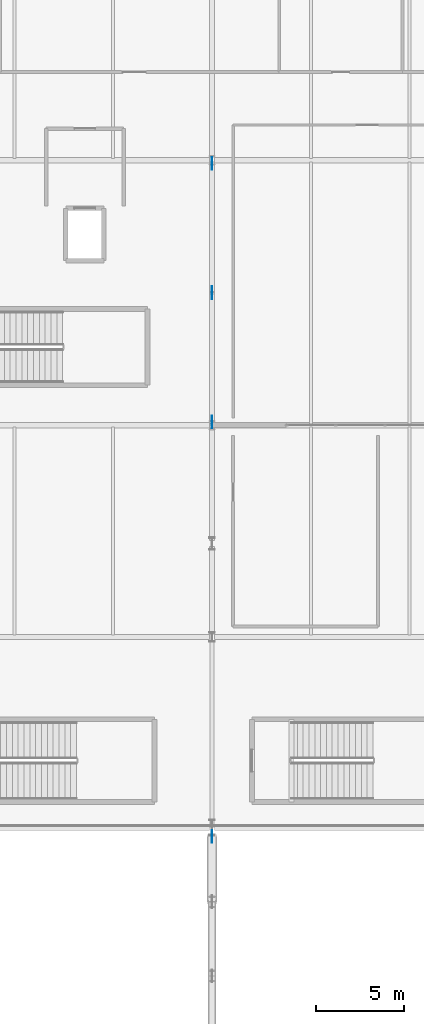
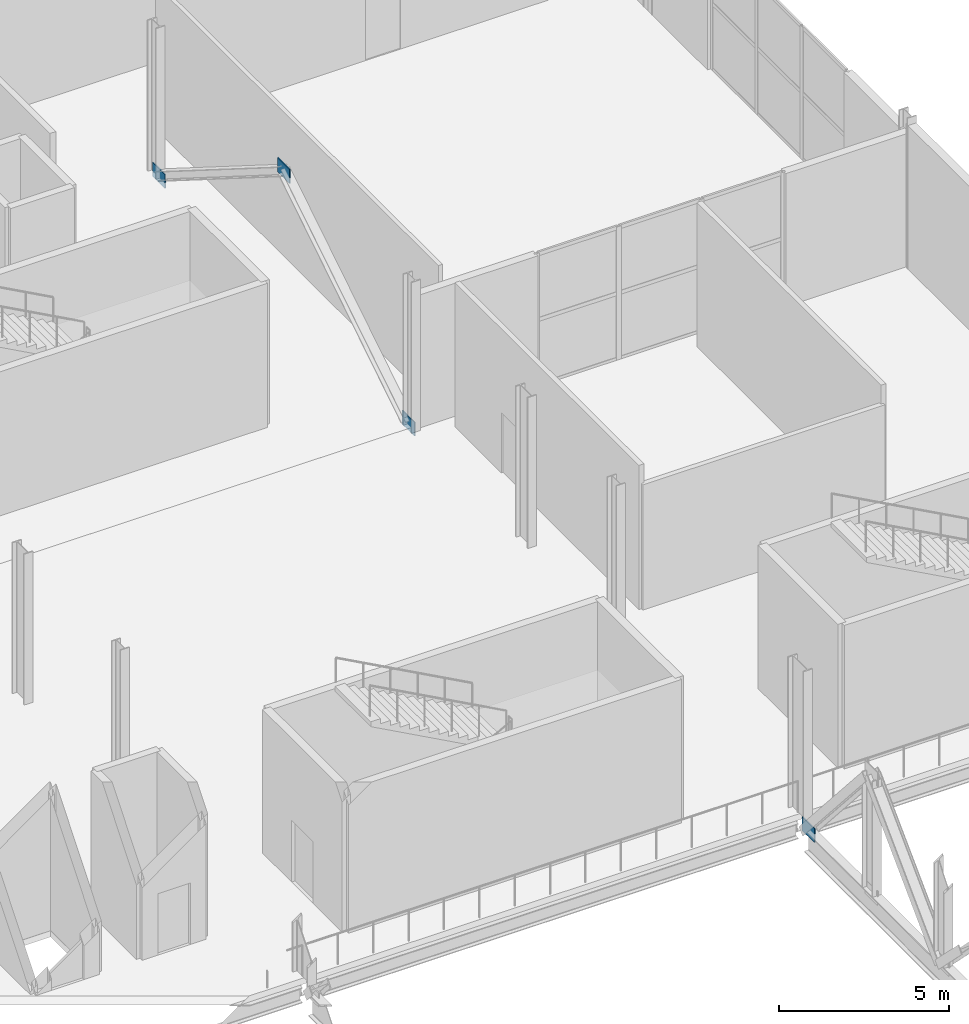
# One storey, part 57 of 84: 4 plates.
"""IFC4 building model written with IfcOpenShell, lengths in metres."""

import ifcopenshell
import ifcopenshell.guid

model = None  # the IFC model being written
_history = None  # IfcOwnerHistory: only IFC2X3 demands one
_inside = {}  # id of a spatial element -> (the spatial element, [elements in it])
_under = {}  # id of a project, library or spatial element -> (it, [spatial elements below it])
_declared = {}  # id of a project -> (the project, [libraries it declares])
_typed = {}  # id of a type object -> (the type object, [elements of that type])
_made_of = {}  # id of a material, layer set ... -> (it, [elements and type objects made of it])


def new_model(schema):
    """Start an empty IFC model of exactly this schema.

    Asked for "IFC4X3", IfcOpenShell would pick the latest addendum, in which some entities
    have other attributes; the version numbers below select the first issue.
    IFC2X3 requires an IfcOwnerHistory on every rooted entity: one is made here for all.
    """
    global model, _history
    if schema == "IFC4X3":
        model = ifcopenshell.file(schema_version=(4, 3, 0, 0))
    else:
        model = ifcopenshell.file(schema=schema)
    _inside.clear()
    _under.clear()
    _declared.clear()
    _typed.clear()
    _made_of.clear()
    _history = None
    if model.schema == "IFC2X3":
        org = make("IfcOrganization", Name="unknown")
        user = make(
            "IfcPersonAndOrganization",
            ThePerson=make("IfcPerson", FamilyName="unknown"),
            TheOrganization=org,
        )
        app = make(
            "IfcApplication",
            ApplicationDeveloper=org,
            Version="unknown",
            ApplicationFullName="unknown",
            ApplicationIdentifier="unknown",
        )
        _history = make(
            "IfcOwnerHistory",
            OwningUser=user,
            OwningApplication=app,
            ChangeAction="ADDED",
            CreationDate=0,
        )
    return model


def make(cls, **values):
    """One entity of the class cls with the attributes given. An attribute that is None is left unset."""
    return model.create_entity(
        cls, **{name: value for name, value in values.items() if value is not None}
    )


def rooted(cls, **values):
    """An entity with a GlobalId (a new one), such as an element, a storey or a relation."""
    return make(cls, GlobalId=ifcopenshell.guid.new(), OwnerHistory=_history, **values)


def si_unit(unit_type, name, prefix=None):
    """IfcSIUnit, for example si_unit("LENGTHUNIT", "METRE", prefix="MILLI")."""
    return make("IfcSIUnit", UnitType=unit_type, Prefix=prefix, Name=name)


def assignment(units):
    """IfcUnitAssignment: the units of a project."""
    return None if units is None else make("IfcUnitAssignment", Units=units)


def point(xyz):
    """IfcCartesianPoint."""
    return None if xyz is None else make("IfcCartesianPoint", Coordinates=xyz)


def direction(xyz):
    """IfcDirection."""
    return None if xyz is None else make("IfcDirection", DirectionRatios=xyz)


def frame(location, z_axis=None, x_axis=None):
    """IfcAxis2Placement3D, a coordinate frame: its origin and axes. An axis left out is left unset."""
    return make(
        "IfcAxis2Placement3D",
        Location=point(location),
        Axis=direction(z_axis),
        RefDirection=direction(x_axis),
    )


def frame_2d(location, x_axis=None):
    """IfcAxis2Placement2D, a coordinate frame in the plane: its origin and x axis."""
    return make(
        "IfcAxis2Placement2D", Location=point(location), RefDirection=direction(x_axis)
    )


def origin():
    """The frame at (0, 0, 0) with its axes left unset."""
    return frame((0.0, 0.0, 0.0))


def origin_2d():
    """The frame at (0, 0) in the plane with its x axis left unset."""
    return frame_2d((0.0, 0.0))


def place(relative_to, where):
    """IfcLocalPlacement: puts the frame where relative to a parent placement (None: the world)."""
    return make(
        "IfcLocalPlacement", PlacementRelTo=relative_to, RelativePlacement=where
    )


def context(
    kind, dimensions, precision=None, world=None, true_north=None, identifier=None
):
    """IfcGeometricRepresentationContext, for example the 3D "Model" context."""
    return make(
        "IfcGeometricRepresentationContext",
        ContextIdentifier=identifier,
        ContextType=kind,
        CoordinateSpaceDimension=dimensions,
        Precision=precision,
        WorldCoordinateSystem=world,
        TrueNorth=true_north,
    )


def subcontext(parent, identifier, kind, view, scale=None):
    """IfcGeometricRepresentationSubContext, for example "Body" below "Model"."""
    return make(
        "IfcGeometricRepresentationSubContext",
        ContextIdentifier=identifier,
        ContextType=kind,
        ParentContext=parent,
        TargetScale=scale,
        TargetView=view,
    )


def project(units=None, contexts=None):
    """IfcProject with its units and contexts."""
    return rooted(
        "IfcProject",
        Name="project",
        RepresentationContexts=contexts,
        UnitsInContext=assignment(units),
    )


def spatial(cls, under=None, at=None, **own):
    """A site, building, storey or space (cls), placed at a placement, below another one or the project."""
    s = rooted(cls, ObjectPlacement=at, **own)
    if under is not None:
        _under.setdefault(under.id(), (under, []))[1].append(s)
    return s


def profile(cls, at=None, kind="AREA", **sizes):
    """A parametric profile (cls). Its sizes go by their IFC names, for example OverallWidth=200.0."""
    return make(cls, ProfileType=kind, Position=at, **sizes)


def rectangle(**sizes):
    """IfcRectangleProfileDef."""
    return profile("IfcRectangleProfileDef", **sizes)


def extrude(swept, where, along, depth):
    """IfcExtrudedAreaSolid: the profile swept, set in the frame where, extruded along a direction by depth."""
    return make(
        "IfcExtrudedAreaSolid",
        SweptArea=swept,
        Position=where,
        ExtrudedDirection=direction(along),
        Depth=depth,
    )


def shape(context_of_items, identifier, shape_type, items):
    """IfcShapeRepresentation: the items that make up one representation, for example the "Body"."""
    return make(
        "IfcShapeRepresentation",
        ContextOfItems=context_of_items,
        RepresentationIdentifier=identifier,
        RepresentationType=shape_type,
        Items=items,
    )


def material(Name=None, Category=None):
    """IfcMaterial."""
    return make("IfcMaterial", Name=Name, Category=Category)


def layer(
    of_material, thickness, ventilated=None, Name=None, Category=None, Priority=None
):
    """IfcMaterialLayer: one layer of a wall or slab, of a material (None: an air gap)."""
    return make(
        "IfcMaterialLayer",
        Material=of_material,
        LayerThickness=thickness,
        IsVentilated=ventilated,
        Name=Name,
        Category=Category,
        Priority=Priority,
    )


def layer_set(layers, Name=None):
    """IfcMaterialLayerSet."""
    return make("IfcMaterialLayerSet", MaterialLayers=layers, LayerSetName=Name)


def made_of(thing, what):
    """Note that an element or type object is made of a material, layer set ...; save() writes the relation."""
    if what is not None:
        _made_of.setdefault(what.id(), (what, []))[1].append(thing)
    return thing


def type_object(cls, material=None, **own):
    """A type object (cls), such as IfcWallType, which elements share."""
    return made_of(rooted(cls, **own), material)


def element(
    cls,
    number,
    at=None,
    inside=None,
    cuts=None,
    type_object=None,
    material=None,
    context=None,
    identifier="Body",
    shape_type=None,
    held_by="IfcProductDefinitionShape",
    body=None,
    shapes=None,
    **own,
):
    """One element of the class cls, such as IfcWall. Its Tag is "e" and its number.

    at: its placement. inside: the storey or other place that contains it. cuts: it is an
    opening in that element (IfcRelVoidsElement). A single representation is given by context,
    identifier, shape_type and body (its items); several are given by shapes. held_by: the class
    of the entity that holds the representations. save() writes the other relations.
    """
    e = rooted(cls, Tag="e%d" % number, ObjectPlacement=at, **own)
    if body is not None:
        shapes = [shape(context, identifier, shape_type, body)]
    if shapes is not None:
        e.Representation = make(held_by, Representations=shapes)
    if inside is not None:
        _inside.setdefault(inside.id(), (inside, []))[1].append(e)
    if cuts is not None:
        rooted(
            "IfcRelVoidsElement", RelatingBuildingElement=cuts, RelatedOpeningElement=e
        )
    if type_object is not None:
        _typed.setdefault(type_object.id(), (type_object, []))[1].append(e)
    return made_of(e, material)


def aggregate(whole, parts):
    """IfcRelAggregates: a whole, such as a stair, and the parts it consists of."""
    return rooted("IfcRelAggregates", RelatingObject=whole, RelatedObjects=parts)


def save(model, path):
    """Write the relations noted so far, then the file.

    IfcRelAggregates (storeys below a building ...), IfcRelContainedInSpatialStructure (elements
    in a storey), IfcRelDefinesByType, IfcRelAssociatesMaterial and IfcRelDeclares: one each for
    every whole, place, type object, material and project.
    """
    for whole, parts in _under.values():
        aggregate(whole, parts)
    for where, things in _inside.values():
        rooted(
            "IfcRelContainedInSpatialStructure",
            RelatedElements=things,
            RelatingStructure=where,
        )
    for kind, things in _typed.values():
        rooted("IfcRelDefinesByType", RelatedObjects=things, RelatingType=kind)
    for what, things in _made_of.values():
        rooted("IfcRelAssociatesMaterial", RelatedObjects=things, RelatingMaterial=what)
    for by, libraries in _declared.values():
        rooted("IfcRelDeclares", RelatingContext=by, RelatedDefinitions=libraries)
    model.write(path)


model = new_model("IFC4")

# Units and contexts
model_context = context("Model", 3, precision=1e-05, world=origin(), true_north=direction((0.0, 1.0)))
body_context = subcontext(model_context, "Body", "Model", "MODEL_VIEW")
ifc_project = project(units=[si_unit("LENGTHUNIT", "METRE"), si_unit("AREAUNIT", "SQUARE_METRE"), si_unit("VOLUMEUNIT", "CUBIC_METRE"), si_unit("PLANEANGLEUNIT", "RADIAN"), si_unit("MASSUNIT", "GRAM", prefix="KILO")], contexts=[model_context])

# Site, building, storey
site_placement = place(None, origin())
site = spatial("IfcSite", under=ifc_project, at=site_placement, CompositionType="ELEMENT")
building_placement = place(site_placement, origin())
building = spatial("IfcBuilding", under=site, at=building_placement, Name="Kimbaza Rail Terminus", CompositionType="ELEMENT")
storey_placement = place(building_placement, frame((0.0, 0.0, 5.39990234375)))
storey = spatial("IfcBuildingStorey", under=building, at=storey_placement, Name="L01", CompositionType="ELEMENT", Elevation=5.39990234375)

# Plates
ifc_material = material(Name="Steel S355", Category="steel")
ifc_layer = layer(ifc_material, 0.034912109375)
ifc_layer_set = layer_set([ifc_layer], Name="Steel S355")
plate_type = type_object("IfcPlateType", Name="STR-PL-WT01", PredefinedType="USERDEFINED", material=ifc_layer_set)
for number, where, z_axis, x_axis, name in (
    (1, (139.199951171875, 79.699951171875, -0.52685546875), (0.0, 0.0, 1.0), (1.0, 0.0, 0.0), "Warren Truss End Gusset Plate GP-01 WT-05"),
    (2, (139.199951171875, 103.179931640625, -0.199951171875), (0.0, 0.0, 1.0), (1.0, 0.0, 0.0), "Chevron Brace Gusset Plate GP-01 6-S"),
    (3, (139.199951171875, 110.5, 4.41015625), (0.0, 0.0, 1.0), (1.0, 0.0, 0.0), "Chevron Brace Gusset Plate GP-01 6-M"),
    (4, (139.199951171875, 117.820068359375, -0.199951171875), (0.0, 0.0, 1.0), (1.0, 0.0, 0.0), "Chevron Brace Gusset Plate GP-01 6-N"),
):
    element("IfcPlate", number, at=place(storey_placement, frame(where, z_axis=z_axis, x_axis=x_axis)), inside=storey, type_object=plate_type, Name=name, ObjectType="GUSSET PLATE", PredefinedType="USERDEFINED", context=body_context, shape_type="SweptSolid", body=[
        extrude(rectangle(XDim=0.034912109375, YDim=0.719970703125, at=origin_2d()), origin(), (0.0, 0.0, 1.0), 0.5),
    ])

save(model, "model.ifc")
